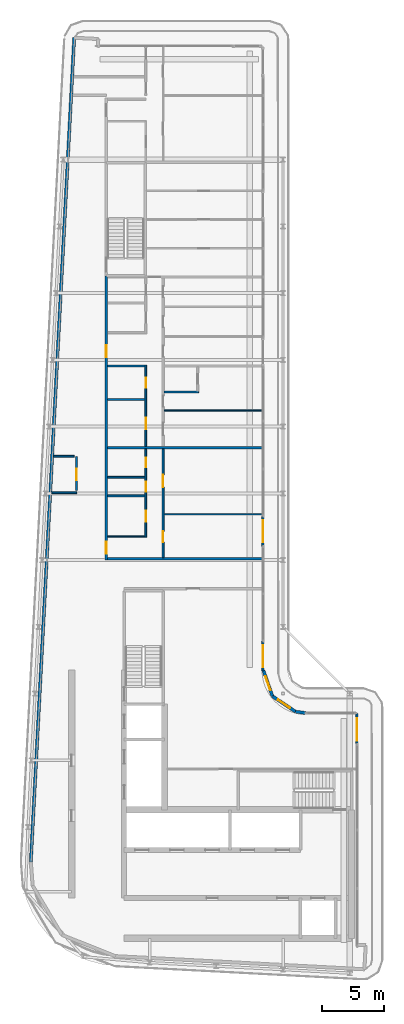
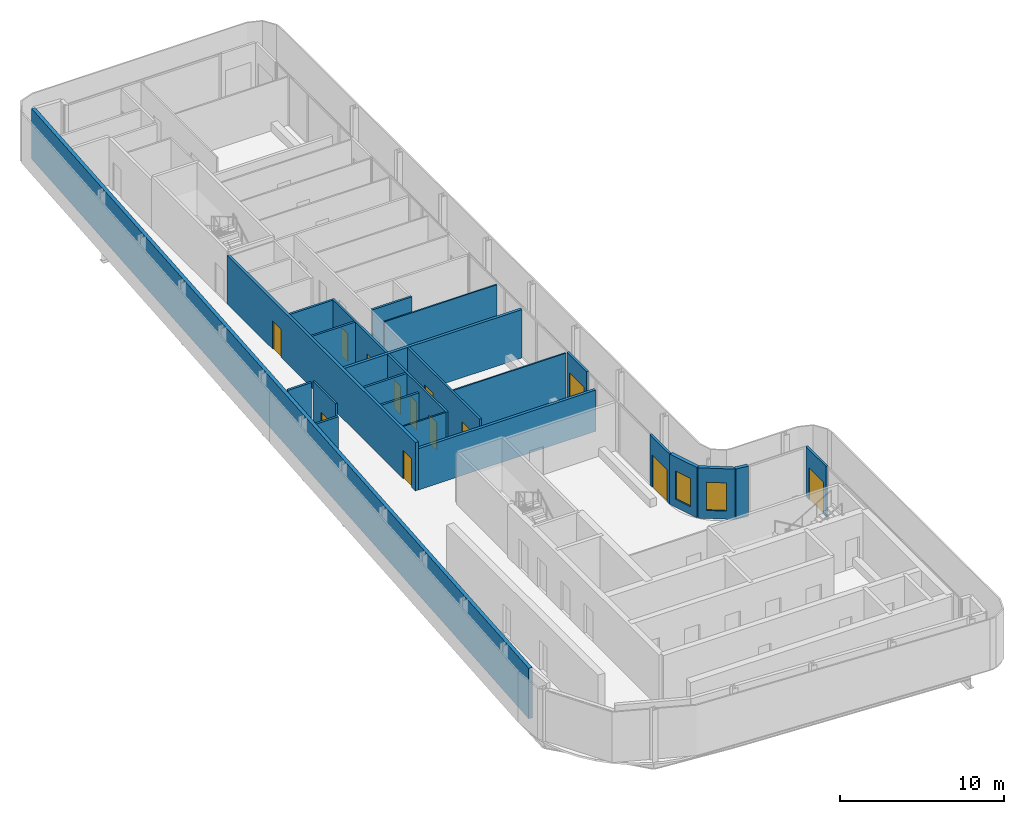
# One storey, part 10 of 18: 24 walls, 13 doors, 2 windows, 15 openings.
"""IFC4 building model written with IfcOpenShell, lengths in metres."""

from ifc_helpers import new_model, si_unit, direction, frame, frame_2d, origin, place, context, subcontext, project, spatial, rectangle, extrude, source, transform, mapped, material, layer, layer_set, type_object, element, fill, save


model = new_model("IFC4")

# Units and contexts
model_context = context("Model", 3, precision=1e-05, world=origin(), true_north=direction((0.0, 1.0)))
body_context = subcontext(model_context, "Body", "Model", "MODEL_VIEW")
ifc_project = project(units=[si_unit("LENGTHUNIT", "METRE"), si_unit("AREAUNIT", "SQUARE_METRE"), si_unit("VOLUMEUNIT", "CUBIC_METRE"), si_unit("PLANEANGLEUNIT", "RADIAN"), si_unit("MASSUNIT", "GRAM", prefix="KILO")], contexts=[model_context])

# Site, building, storey
site_placement = place(None, origin())
site = spatial("IfcSite", under=ifc_project, at=site_placement, CompositionType="ELEMENT")
building_placement = place(site_placement, origin())
building = spatial("IfcBuilding", under=site, at=building_placement, Name="Kheshtan School and Residences Tower", CompositionType="ELEMENT")
storey_placement = place(building_placement, frame((0.0, 0.0, 361.699951171875)))
storey = spatial("IfcBuildingStorey", under=building, at=storey_placement, Name="L85", CompositionType="ELEMENT", Elevation=361.699951171875)

# Wall, openings, doors
ifc_material_1 = material(Name="Gypsum board on steel studs with fire boards", Category="steel")
ifc_layer_1 = layer(ifc_material_1, 0.199951171875)
ifc_layer_set_1 = layer_set([ifc_layer_1], Name="Corridor wall 200")
wall_type_1 = type_object("IfcWallType", Name="Corridor wall 200", PredefinedType="PARTITIONING", material=ifc_layer_set_1)
wall_1_placement = place(storey_placement, frame((33.300048828125, 56.39990234375, 0.0), z_axis=(0.0, 0.0, 1.0), x_axis=(0.0, 1.0, 0.0)))
wall_1 = element("IfcWall", 1, at=wall_1_placement, inside=storey, type_object=wall_type_1, Name="Partition L85-003", PredefinedType="PARTITIONING", context=body_context, shape_type="SweptSolid", body=[
    extrude(rectangle(XDim=22.97509765625, YDim=0.199951171875, at=frame_2d((11.487548828125, 0.0))), origin(), (0.0, 0.0, 1.0), 3.60009765625),
])
opening_1_placement = place(wall_1_placement, frame((0.5, 0.0, 0.0)))
opening_1 = element("IfcOpeningElement", 2, at=opening_1_placement, cuts=wall_1, Name="Opening D85-003", PredefinedType="OPENING", context=body_context, shape_type="SweptSolid", body=[
    extrude(rectangle(XDim=1.0, YDim=2.10009765625, at=frame_2d((0.5, 1.050048828125))), frame((0.0, 0.10986328125, 0.0), z_axis=(0.0, -1.0, 0.0), x_axis=(1.0, 0.0, 0.0)), (0.0, 0.0, 1.0), 0.219970703125),
])
opening_2_placement = place(wall_1_placement, frame((16.39990234375, 0.0, 0.0)))
opening_2 = element("IfcOpeningElement", 3, at=opening_2_placement, cuts=wall_1, Name="Opening D85-012", PredefinedType="OPENING", context=body_context, shape_type="SweptSolid", body=[
    extrude(rectangle(XDim=1.0, YDim=2.10009765625, at=frame_2d((0.5, 1.050048828125))), frame((0.0, 0.10986328125, 0.0), z_axis=(0.0, -1.0, 0.0), x_axis=(1.0, 0.0, 0.0)), (0.0, 0.0, 1.0), 0.219970703125),
])
ifc_material_2 = material(Name="Steel-framed fire-resisting door leaf", Category="steel")
door_type_1 = type_object("IfcDoorType", Name="Fire door FD30S 1000 x 2100", OperationType="SINGLE_SWING_LEFT", PredefinedType="DOOR", material=ifc_material_2)
shared_shape_1 = source(origin(), body_context, "Body", "SweptSolid", [
    extrude(rectangle(XDim=1.0, YDim=2.10009765625, at=frame_2d((0.5, 1.050048828125))), frame((0.0, 0.02490234375, 0.0), z_axis=(0.0, -1.0, 0.0), x_axis=(1.0, 0.0, 0.0)), (0.0, 0.0, 1.0), 0.050048828125),
])
door_1_placement = place(opening_1_placement, origin())
door_1 = element("IfcDoor", 4, at=door_1_placement, inside=storey, type_object=door_type_1, Name="Door D85-003", OperationType="SINGLE_SWING_RIGHT", OverallHeight=2.10009765625, OverallWidth=1.0, PredefinedType="DOOR", context=body_context, shape_type="MappedRepresentation", body=[
    mapped(shared_shape_1, transform((0.0, 0.0, 0.0), x_axis=(1.0, 0.0, 0.0), y_axis=(0.0, 1.0, 0.0), z_axis=(0.0, 0.0, 1.0), scale=1.0)),
])
fill(opening_1, door_1)
door_2_placement = place(opening_2_placement, origin())
door_2 = element("IfcDoor", 5, at=door_2_placement, inside=storey, type_object=door_type_1, Name="Door D85-012", OperationType="SINGLE_SWING_RIGHT", OverallHeight=2.10009765625, OverallWidth=1.0, PredefinedType="DOOR", context=body_context, shape_type="MappedRepresentation", body=[
    mapped(shared_shape_1, transform((0.0, 0.0, 0.0), x_axis=(1.0, 0.0, 0.0), y_axis=(0.0, 1.0, 0.0), z_axis=(0.0, 0.0, 1.0), scale=1.0)),
])
fill(opening_2, door_2)

# Walls
wall_2_placement = place(storey_placement, frame((33.39990234375, 56.5, 0.0), z_axis=(0.0, 0.0, 1.0), x_axis=(1.0, 0.0, 0.0)))
element("IfcWall", 6, at=wall_2_placement, inside=storey, type_object=wall_type_1, Name="Partition L85-005", PredefinedType="PARTITIONING", context=body_context, shape_type="SweptSolid", body=[
    extrude(rectangle(XDim=12.5, YDim=0.199951171875, at=frame_2d((6.25, 0.0))), origin(), (0.0, 0.0, 1.0), 3.072021484375),
])
ifc_material_3 = material(Name="Concrete C40/50 with ceramic cladding and mineral wool insulation", Category="concrete")
ifc_layer_2 = layer(ifc_material_3, 0.25)
ifc_layer_set_2 = layer_set([ifc_layer_2], Name="External wall 250 ceramic clad")
wall_type_2 = type_object("IfcWallType", Name="External wall 250 ceramic clad", PredefinedType="SOLIDWALL", material=ifc_layer_set_2)
wall_3_placement = place(storey_placement, frame((27.195068359375, 31.968994140625, 0.0), z_axis=(0.0, 0.0, 1.0), x_axis=(0.052554995867, 0.998618031286, 0.0)))
element("IfcWall", 7, at=wall_3_placement, inside=storey, type_object=wall_type_2, Name="External wall L85 4", PredefinedType="SOLIDWALL", context=body_context, shape_type="SweptSolid", body=[
    extrude(rectangle(XDim=66.787353515625, YDim=0.25, at=frame_2d((33.3935546875, 0.0))), origin(), (0.0, 0.0, 1.0), 3.75),
])

# Wall, opening, window
wall_4_placement = place(storey_placement, frame((46.01806640625, 47.470947265625, 0.0), z_axis=(0.0, 0.0, 1.0), x_axis=(0.328791208903, -0.944402637093, 0.0)))
wall_4 = element("IfcWall", 8, at=wall_4_placement, inside=storey, type_object=wall_type_2, Name="External wall L85 9", PredefinedType="SOLIDWALL", context=body_context, shape_type="SweptSolid", body=[
    extrude(rectangle(XDim=2.20458984375, YDim=0.25, at=frame_2d((1.102294921875, 0.0))), origin(), (0.0, 0.0, 1.0), 3.75),
])
opening_3_placement = place(wall_4_placement, frame((0.5029296875, 0.0, 0.60009765625)))
opening_3 = element("IfcOpeningElement", 9, at=opening_3_placement, cuts=wall_4, Name="Opening WN-E", PredefinedType="OPENING", context=body_context, shape_type="SweptSolid", body=[
    extrude(rectangle(XDim=1.199951171875, YDim=2.10009765625, at=frame_2d((0.60009765625, 1.050048828125))), frame((0.0, 0.135009765625, 0.0), z_axis=(0.0, -1.0, 0.0), x_axis=(1.0, 0.0, 0.0)), (0.0, 0.0, 1.0), 0.27001953125),
])
ifc_material_4 = material(Name="Clear low-e glass in thermally broken aluminium frame", Category="aluminium")
window_type = type_object("IfcWindowType", Name="Window WN-E", PartitioningType="SINGLE_PANEL", PredefinedType="WINDOW", material=ifc_material_4)
shared_shape_2 = source(origin(), body_context, "Body", "SweptSolid", [
    extrude(rectangle(XDim=1.199951171875, YDim=2.10009765625, at=frame_2d((0.60009765625, 1.050048828125))), frame((0.0, 0.030029296875, 0.0), z_axis=(0.0, -1.0, 0.0), x_axis=(1.0, 0.0, 0.0)), (0.0, 0.0, 1.0), 0.06005859375),
])
window_1_placement = place(opening_3_placement, origin())
window_1 = element("IfcWindow", 10, at=window_1_placement, inside=storey, type_object=window_type, Name="Window L85 9", OverallHeight=2.10009765625, OverallWidth=1.199951171875, PartitioningType="SINGLE_PANEL", PredefinedType="WINDOW", context=body_context, shape_type="MappedRepresentation", body=[
    mapped(shared_shape_2, transform((0.0, 0.0, 0.0), x_axis=(1.0, 0.0, 0.0), y_axis=(0.0, 1.0, 0.0), z_axis=(0.0, 0.0, 1.0), scale=1.0)),
])
fill(opening_3, window_1)

wall_5_placement = place(storey_placement, frame((46.742919921875, 45.388916015625, 0.0), z_axis=(0.0, 0.0, 1.0), x_axis=(0.831449265529, -0.555600682912, 0.0)))
wall_5 = element("IfcWall", 11, at=wall_5_placement, inside=storey, type_object=wall_type_2, Name="External wall L85 10", PredefinedType="SOLIDWALL", context=body_context, shape_type="SweptSolid", body=[
    extrude(rectangle(XDim=2.25146484375, YDim=0.25, at=frame_2d((1.125732421875, 0.0))), origin(), (0.0, 0.0, 1.0), 3.75),
])
opening_4_placement = place(wall_5_placement, frame((0.52490234375, 0.0, 0.60009765625)))
opening_4 = element("IfcOpeningElement", 12, at=opening_4_placement, cuts=wall_5, Name="Opening WN-E", PredefinedType="OPENING", context=body_context, shape_type="SweptSolid", body=[
    extrude(rectangle(XDim=1.199951171875, YDim=2.10009765625, at=frame_2d((0.60009765625, 1.050048828125))), frame((0.0, 0.135009765625, 0.0), z_axis=(0.0, -1.0, 0.0), x_axis=(1.0, 0.0, 0.0)), (0.0, 0.0, 1.0), 0.27001953125),
])
window_2_placement = place(opening_4_placement, origin())
window_2 = element("IfcWindow", 13, at=window_2_placement, inside=storey, type_object=window_type, Name="Window L85 10", OverallHeight=2.10009765625, OverallWidth=1.199951171875, PartitioningType="SINGLE_PANEL", PredefinedType="WINDOW", context=body_context, shape_type="MappedRepresentation", body=[
    mapped(shared_shape_2, transform((0.0, 0.0, 0.0), x_axis=(1.0, 0.0, 0.0), y_axis=(0.0, 1.0, 0.0), z_axis=(0.0, 0.0, 1.0), scale=1.0)),
])
fill(opening_4, window_2)

# Wall
wall_6_placement = place(storey_placement, frame((48.614990234375, 44.137939453125, 0.0), z_axis=(0.0, 0.0, 1.0), x_axis=(0.990741504246, -0.135761819977, 0.0)))
element("IfcWall", 14, at=wall_6_placement, inside=storey, type_object=wall_type_2, Name="External wall L85 11", PredefinedType="SOLIDWALL", context=body_context, shape_type="SweptSolid", body=[
    extrude(rectangle(XDim=0.83984375, YDim=0.25, at=frame_2d((0.419921875, 0.0))), origin(), (0.0, 0.0, 1.0), 3.75),
])

# Wall, opening, door
ifc_material_5 = material(Name="Aluminium frame wall with insulated infill", Category="aluminium")
ifc_layer_3 = layer(ifc_material_5, 0.14990234375)
ifc_layer_set_3 = layer_set([ifc_layer_3], Name="Glazing frame wall 150")
wall_type_3 = type_object("IfcWallType", Name="Glazing frame wall 150", PredefinedType="SOLIDWALL", material=ifc_layer_set_3)
wall_7_placement = place(storey_placement, frame((45.97509765625, 59.924072265625, 0.0), z_axis=(0.0, 0.0, 1.0), x_axis=(0.0, -1.0, 0.0)))
wall_7 = element("IfcWall", 15, at=wall_7_placement, inside=storey, type_object=wall_type_3, Name="Balcony door wall L85 8.4", PredefinedType="SOLIDWALL", context=body_context, shape_type="SweptSolid", body=[
    extrude(rectangle(XDim=2.400146484375, YDim=0.14990234375, at=frame_2d((1.2001953125, 0.0))), origin(), (0.0, 0.0, 1.0), 3.75),
])
opening_5_placement = place(wall_7_placement, frame((0.300048828125, 0.0, 0.0)))
opening_5 = element("IfcOpeningElement", 16, at=opening_5_placement, cuts=wall_7, Name="Opening BD", PredefinedType="OPENING", context=body_context, shape_type="SweptSolid", body=[
    extrude(rectangle(XDim=1.800048828125, YDim=2.39990234375, at=frame_2d((0.89990234375, 1.199951171875))), frame((0.0, 0.0849609375, 0.0), z_axis=(0.0, -1.0, 0.0), x_axis=(1.0, 0.0, 0.0)), (0.0, 0.0, 1.0), 0.169921875),
])
door_type_2 = type_object("IfcDoorType", Name="Balcony sliding door", OperationType="SLIDING_TO_LEFT", PredefinedType="DOOR", material=ifc_material_4)
shared_shape_3 = source(origin(), body_context, "Body", "SweptSolid", [
    extrude(rectangle(XDim=1.800048828125, YDim=2.39990234375, at=frame_2d((0.89990234375, 1.199951171875))), frame((0.0, 0.02490234375, 0.0), z_axis=(0.0, -1.0, 0.0), x_axis=(1.0, 0.0, 0.0)), (0.0, 0.0, 1.0), 0.050048828125),
])
door_3_placement = place(opening_5_placement, origin())
door_3 = element("IfcDoor", 17, at=door_3_placement, inside=storey, type_object=door_type_2, Name="Balcony door L85 8.4", OperationType="SLIDING_TO_LEFT", OverallHeight=2.39990234375, OverallWidth=1.800048828125, PredefinedType="DOOR", context=body_context, shape_type="MappedRepresentation", body=[
    mapped(shared_shape_3, transform((0.0, 0.0, 0.0), x_axis=(1.0, 0.0, 0.0), y_axis=(0.0, 1.0, 0.0), z_axis=(0.0, 0.0, 1.0), scale=1.0)),
])
fill(opening_5, door_3)

wall_8_placement = place(storey_placement, frame((45.97509765625, 49.830078125, 0.0), z_axis=(0.0, 0.0, 1.0), x_axis=(0.0, -1.0, 0.0)))
wall_8 = element("IfcWall", 18, at=wall_8_placement, inside=storey, type_object=wall_type_3, Name="Balcony door wall L85 8.5", PredefinedType="SOLIDWALL", context=body_context, shape_type="SweptSolid", body=[
    extrude(rectangle(XDim=2.400146484375, YDim=0.14990234375, at=frame_2d((1.2001953125, 0.0))), origin(), (0.0, 0.0, 1.0), 3.75),
])
opening_6_placement = place(wall_8_placement, frame((0.300048828125, 0.0, 0.0)))
opening_6 = element("IfcOpeningElement", 19, at=opening_6_placement, cuts=wall_8, Name="Opening BD", PredefinedType="OPENING", context=body_context, shape_type="SweptSolid", body=[
    extrude(rectangle(XDim=1.800048828125, YDim=2.39990234375, at=frame_2d((0.89990234375, 1.199951171875))), frame((0.0, 0.0849609375, 0.0), z_axis=(0.0, -1.0, 0.0), x_axis=(1.0, 0.0, 0.0)), (0.0, 0.0, 1.0), 0.169921875),
])
door_4_placement = place(opening_6_placement, origin())
door_4 = element("IfcDoor", 20, at=door_4_placement, inside=storey, type_object=door_type_2, Name="Balcony door L85 8.5", OperationType="SLIDING_TO_LEFT", OverallHeight=2.39990234375, OverallWidth=1.800048828125, PredefinedType="DOOR", context=body_context, shape_type="MappedRepresentation", body=[
    mapped(shared_shape_3, transform((0.0, 0.0, 0.0), x_axis=(1.0, 0.0, 0.0), y_axis=(0.0, 1.0, 0.0), z_axis=(0.0, 0.0, 1.0), scale=1.0)),
])
fill(opening_6, door_4)

wall_9_placement = place(storey_placement, frame((53.574951171875, 43.970947265625, 0.0), z_axis=(0.0, 0.0, 1.0), x_axis=(0.0, -1.0, 0.0)))
wall_9 = element("IfcWall", 21, at=wall_9_placement, inside=storey, type_object=wall_type_3, Name="Balcony door wall L85 13.1", PredefinedType="SOLIDWALL", context=body_context, shape_type="SweptSolid", body=[
    extrude(rectangle(XDim=2.470947265625, YDim=0.14990234375, at=frame_2d((1.2353515625, 0.0))), origin(), (0.0, 0.0, 1.0), 3.75),
])
opening_7_placement = place(wall_9_placement, frame((0.37109375, 0.0, 0.0)))
opening_7 = element("IfcOpeningElement", 22, at=opening_7_placement, cuts=wall_9, Name="Opening BD", PredefinedType="OPENING", context=body_context, shape_type="SweptSolid", body=[
    extrude(rectangle(XDim=1.800048828125, YDim=2.39990234375, at=frame_2d((0.89990234375, 1.199951171875))), frame((0.0, 0.0849609375, 0.0), z_axis=(0.0, -1.0, 0.0), x_axis=(1.0, 0.0, 0.0)), (0.0, 0.0, 1.0), 0.169921875),
])
door_5_placement = place(opening_7_placement, origin())
door_5 = element("IfcDoor", 23, at=door_5_placement, inside=storey, type_object=door_type_2, Name="Balcony door L85 13.1", OperationType="SLIDING_TO_LEFT", OverallHeight=2.39990234375, OverallWidth=1.800048828125, PredefinedType="DOOR", context=body_context, shape_type="MappedRepresentation", body=[
    mapped(shared_shape_3, transform((0.0, 0.0, 0.0), x_axis=(1.0, 0.0, 0.0), y_axis=(0.0, 1.0, 0.0), z_axis=(0.0, 0.0, 1.0), scale=1.0)),
])
fill(opening_7, door_5)

# Walls
ifc_material_6 = material(Name="Gypsum board on steel studs", Category="steel")
ifc_layer_4 = layer(ifc_material_6, 0.10009765625)
ifc_layer_set_4 = layer_set([ifc_layer_4], Name="Gypsum partition 100")
wall_type_4 = type_object("IfcWallType", Name="Gypsum partition 100", PredefinedType="PARTITIONING", material=ifc_layer_set_4)
wall_10_placement = place(storey_placement, frame((33.39990234375, 58.300048828125, 0.0), z_axis=(0.0, 0.0, 1.0), x_axis=(1.0, 0.0, 0.0)))
element("IfcWall", 24, at=wall_10_placement, inside=storey, type_object=wall_type_4, Name="Partition L85-006", PredefinedType="PARTITIONING", context=body_context, shape_type="SweptSolid", body=[
    extrude(rectangle(XDim=3.025146484375, YDim=0.10009765625, at=frame_2d((1.5126953125, 0.0))), origin(), (0.0, 0.0, 1.0), 3.60009765625),
])
for number, where, z_axis, x_axis, name in (
    (25, (37.97509765625, 60.10009765625, 0.0), (0.0, 0.0, 1.0), (1.0, 0.0, 0.0), "Partition L85-031"),
    (26, (37.97509765625, 68.5, 0.0), (0.0, 0.0, 1.0), (1.0, 0.0, 0.0), "Partition L85-032"),
):
    element("IfcWall", number, at=place(storey_placement, frame(where, z_axis=z_axis, x_axis=x_axis)), inside=storey, type_object=wall_type_4, Name=name, PredefinedType="PARTITIONING", context=body_context, shape_type="SweptSolid", body=[
        extrude(rectangle(XDim=7.9248046875, YDim=0.10009765625, at=frame_2d((3.96240234375, 0.0))), origin(), (0.0, 0.0, 1.0), 3.60009765625),
    ])
ifc_material_7 = material(Name="Fire-board shaft wall system")
ifc_layer_5 = layer(ifc_material_7, 0.14990234375)
ifc_layer_set_5 = layer_set([ifc_layer_5], Name="Service room wall 150")
wall_type_5 = type_object("IfcWallType", Name="Service room wall 150", PredefinedType="PARTITIONING", material=ifc_layer_set_5)
wall_11_placement = place(storey_placement, frame((28.89501953125, 61.85107421875, 0.0), z_axis=(0.0, 0.0, 1.0), x_axis=(1.0, 0.0, 0.0)))
element("IfcWall", 27, at=wall_11_placement, inside=storey, type_object=wall_type_5, Name="Service room wall", PredefinedType="PARTITIONING", context=body_context, shape_type="SweptSolid", body=[
    extrude(rectangle(XDim=2.0048828125, YDim=0.14990234375, at=frame_2d((1.00244140625, 0.0))), origin(), (0.0, 0.0, 1.0), 3.072021484375),
])

# Wall, opening, door
wall_12_placement = place(storey_placement, frame((30.89990234375, 62.0458984375, 0.0), z_axis=(0.0, 0.0, 1.0), x_axis=(0.0, 1.0, 0.0)))
wall_12 = element("IfcWall", 28, at=wall_12_placement, inside=storey, type_object=wall_type_5, Name="Service room wall", PredefinedType="PARTITIONING", context=body_context, shape_type="SweptSolid", body=[
    extrude(rectangle(XDim=2.754150390625, YDim=0.14990234375, at=frame_2d((1.376953125, 0.0))), origin(), (0.0, 0.0, 1.0), 3.900146484375),
])
opening_8_placement = place(wall_12_placement, frame((0.830078125, 0.0, 0.0)))
opening_8 = element("IfcOpeningElement", 29, at=opening_8_placement, cuts=wall_12, Name="Opening SR90", PredefinedType="OPENING", context=body_context, shape_type="SweptSolid", body=[
    extrude(rectangle(XDim=0.89990234375, YDim=2.199951171875, at=frame_2d((0.449951171875, 1.10009765625))), frame((0.0, 0.0849609375, 0.0), z_axis=(0.0, -1.0, 0.0), x_axis=(1.0, 0.0, 0.0)), (0.0, 0.0, 1.0), 0.169921875),
])
ifc_material_8 = material(Name="Steel door leaf, galvanised", Category="steel")
door_type_3 = type_object("IfcDoorType", Name="Service room door 900 steel 90 min", OperationType="SINGLE_SWING_LEFT", PredefinedType="DOOR", material=ifc_material_8)
shared_shape_4 = source(origin(), body_context, "Body", "SweptSolid", [
    extrude(rectangle(XDim=0.89990234375, YDim=2.199951171875, at=frame_2d((0.449951171875, 1.10009765625))), frame((0.0, 0.02490234375, 0.0), z_axis=(0.0, -1.0, 0.0), x_axis=(1.0, 0.0, 0.0)), (0.0, 0.0, 1.0), 0.050048828125),
])
door_6_placement = place(opening_8_placement, origin())
door_6 = element("IfcDoor", 30, at=door_6_placement, inside=storey, type_object=door_type_3, Name="Service room door", OperationType="SINGLE_SWING_LEFT", OverallHeight=2.199951171875, OverallWidth=0.89990234375, PredefinedType="DOOR", context=body_context, shape_type="MappedRepresentation", body=[
    mapped(shared_shape_4, transform((0.0, 0.0, 0.0), x_axis=(1.0, 0.0, 0.0), y_axis=(0.0, 1.0, 0.0), z_axis=(0.0, 0.0, 1.0), scale=1.0)),
])
fill(opening_8, door_6)

# Walls
wall_13_placement = place(storey_placement, frame((29.050048828125, 64.800048828125, 0.0), z_axis=(0.0, 0.0, 1.0), x_axis=(1.0, 0.0, 0.0)))
element("IfcWall", 31, at=wall_13_placement, inside=storey, type_object=wall_type_5, Name="Service room wall", PredefinedType="PARTITIONING", context=body_context, shape_type="SweptSolid", body=[
    extrude(rectangle(XDim=1.655029296875, YDim=0.14990234375, at=frame_2d((0.82763671875, 0.0))), origin(), (0.0, 0.0, 1.0), 3.900146484375),
])
ifc_material_9 = material(Name="Twin gypsum board on steel studs with mineral wool", Category="steel")
ifc_layer_6 = layer(ifc_material_9, 0.199951171875)
ifc_layer_set_6 = layer_set([ifc_layer_6], Name="Unit demising wall 200")
wall_type_6 = type_object("IfcWallType", Name="Unit demising wall 200", PredefinedType="PARTITIONING", material=ifc_layer_set_6)
wall_14_placement = place(storey_placement, frame((33.39990234375, 65.5, 0.0), z_axis=(0.0, 0.0, 1.0), x_axis=(1.0, 0.0, 0.0)))
element("IfcWall", 32, at=wall_14_placement, inside=storey, type_object=wall_type_6, Name="Partition L85-009", PredefinedType="PARTITIONING", context=body_context, shape_type="SweptSolid", body=[
    extrude(rectangle(XDim=12.5, YDim=0.199951171875, at=frame_2d((6.25, 0.0))), origin(), (0.0, 0.0, 1.0), 3.60009765625),
])
ifc_material_10 = material(Name="Moisture-resistant gypsum board on steel studs", Category="steel")
ifc_layer_7 = layer(ifc_material_10, 0.14990234375)
ifc_layer_set_7 = layer_set([ifc_layer_7], Name="Wet-room partition 150")
wall_type_7 = type_object("IfcWallType", Name="Wet-room partition 150", PredefinedType="PARTITIONING", material=ifc_layer_set_7)
wall_15_placement = place(storey_placement, frame((33.39990234375, 61.60009765625, 0.0), z_axis=(0.0, 0.0, 1.0), x_axis=(1.0, 0.0, 0.0)))
element("IfcWall", 33, at=wall_15_placement, inside=storey, type_object=wall_type_7, Name="Partition L85-007", PredefinedType="PARTITIONING", context=body_context, shape_type="SweptSolid", body=[
    extrude(rectangle(XDim=3.025146484375, YDim=0.14990234375, at=frame_2d((1.5126953125, 0.0))), origin(), (0.0, 0.0, 1.0), 3.072021484375),
])
for number, where, z_axis, x_axis, name in (
    (34, (33.39990234375, 63.10009765625, 0.0), (0.0, 0.0, 1.0), (1.0, 0.0, 0.0), "Partition L85-008"),
    (35, (33.39990234375, 69.39990234375, 0.0), (0.0, 0.0, 1.0), (1.0, 0.0, 0.0), "Partition L85-010"),
    (36, (33.39990234375, 72.10009765625, 0.0), (0.0, 0.0, 1.0), (1.0, 0.0, 0.0), "Partition L85-011"),
):
    element("IfcWall", number, at=place(storey_placement, frame(where, z_axis=z_axis, x_axis=x_axis)), inside=storey, type_object=wall_type_7, Name=name, PredefinedType="PARTITIONING", context=body_context, shape_type="SweptSolid", body=[
        extrude(rectangle(XDim=3.025146484375, YDim=0.14990234375, at=frame_2d((1.5126953125, 0.0))), origin(), (0.0, 0.0, 1.0), 3.60009765625),
    ])

# Wall, openings, doors
wall_16_placement = place(storey_placement, frame((36.5, 58.25, 0.0), z_axis=(0.0, 0.0, 1.0), x_axis=(0.0, 1.0, 0.0)))
wall_16 = element("IfcWall", 37, at=wall_16_placement, inside=storey, type_object=wall_type_7, Name="Partition L85-019", PredefinedType="PARTITIONING", context=body_context, shape_type="SweptSolid", body=[
    extrude(rectangle(XDim=7.14990234375, YDim=0.14990234375, at=frame_2d((3.574951171875, 0.0))), origin(), (0.0, 0.0, 1.0), 3.60009765625),
])
opening_9_placement = place(wall_16_placement, frame((5.64990234375, 0.0, 0.0)))
opening_9 = element("IfcOpeningElement", 38, at=opening_9_placement, cuts=wall_16, Name="Opening D85-001", PredefinedType="OPENING", context=body_context, shape_type="SweptSolid", body=[
    extrude(rectangle(XDim=0.800048828125, YDim=2.10009765625, at=frame_2d((0.39990234375, 1.050048828125))), frame((0.0, 0.0849609375, 0.0), z_axis=(0.0, -1.0, 0.0), x_axis=(1.0, 0.0, 0.0)), (0.0, 0.0, 1.0), 0.169921875),
])
opening_10_placement = place(wall_16_placement, frame((1.25, 0.0, 0.0)))
opening_10 = element("IfcOpeningElement", 39, at=opening_10_placement, cuts=wall_16, Name="Opening D85-004", PredefinedType="OPENING", context=body_context, shape_type="SweptSolid", body=[
    extrude(rectangle(XDim=0.89990234375, YDim=2.10009765625, at=frame_2d((0.449951171875, 1.050048828125))), frame((0.0, 0.0849609375, 0.0), z_axis=(0.0, -1.0, 0.0), x_axis=(1.0, 0.0, 0.0)), (0.0, 0.0, 1.0), 0.169921875),
])
opening_11_placement = place(wall_16_placement, frame((3.699951171875, 0.0, 0.0)))
opening_11 = element("IfcOpeningElement", 40, at=opening_11_placement, cuts=wall_16, Name="Opening D85-006", PredefinedType="OPENING", context=body_context, shape_type="SweptSolid", body=[
    extrude(rectangle(XDim=0.800048828125, YDim=2.10009765625, at=frame_2d((0.39990234375, 1.050048828125))), frame((0.0, 0.0849609375, 0.0), z_axis=(0.0, -1.0, 0.0), x_axis=(1.0, 0.0, 0.0)), (0.0, 0.0, 1.0), 0.169921875),
])
ifc_material_11 = material(Name="Veneered timber door leaf", Category="wood")
door_type_4 = type_object("IfcDoorType", Name="Door 800 x 2100", OperationType="SINGLE_SWING_LEFT", PredefinedType="DOOR", material=ifc_material_11)
shared_shape_5 = source(origin(), body_context, "Body", "SweptSolid", [
    extrude(rectangle(XDim=0.800048828125, YDim=2.10009765625, at=frame_2d((0.39990234375, 1.050048828125))), frame((0.0, 0.02490234375, 0.0), z_axis=(0.0, -1.0, 0.0), x_axis=(1.0, 0.0, 0.0)), (0.0, 0.0, 1.0), 0.050048828125),
])
door_7_placement = place(opening_9_placement, origin())
door_7 = element("IfcDoor", 41, at=door_7_placement, inside=storey, type_object=door_type_4, Name="Door D85-001", OperationType="SINGLE_SWING_RIGHT", OverallHeight=2.10009765625, OverallWidth=0.800048828125, PredefinedType="DOOR", context=body_context, shape_type="MappedRepresentation", body=[
    mapped(shared_shape_5, transform((0.0, 0.0, 0.0), x_axis=(1.0, 0.0, 0.0), y_axis=(0.0, 1.0, 0.0), z_axis=(0.0, 0.0, 1.0), scale=1.0)),
])
fill(opening_9, door_7)
door_8_placement = place(opening_11_placement, origin())
door_8 = element("IfcDoor", 42, at=door_8_placement, inside=storey, type_object=door_type_4, Name="Door D85-006", OperationType="SINGLE_SWING_LEFT", OverallHeight=2.10009765625, OverallWidth=0.800048828125, PredefinedType="DOOR", context=body_context, shape_type="MappedRepresentation", body=[
    mapped(shared_shape_5, transform((0.0, 0.0, 0.0), x_axis=(1.0, 0.0, 0.0), y_axis=(0.0, 1.0, 0.0), z_axis=(0.0, 0.0, 1.0), scale=1.0)),
])
fill(opening_11, door_8)
door_type_5 = type_object("IfcDoorType", Name="Door 900 x 2100", OperationType="SINGLE_SWING_LEFT", PredefinedType="DOOR", material=ifc_material_11)
shared_shape_6 = source(origin(), body_context, "Body", "SweptSolid", [
    extrude(rectangle(XDim=0.89990234375, YDim=2.10009765625, at=frame_2d((0.449951171875, 1.050048828125))), frame((0.0, 0.02490234375, 0.0), z_axis=(0.0, -1.0, 0.0), x_axis=(1.0, 0.0, 0.0)), (0.0, 0.0, 1.0), 0.050048828125),
])
door_9_placement = place(opening_10_placement, origin())
door_9 = element("IfcDoor", 43, at=door_9_placement, inside=storey, type_object=door_type_5, Name="Door D85-004", OperationType="SINGLE_SWING_RIGHT", OverallHeight=2.10009765625, OverallWidth=0.89990234375, PredefinedType="DOOR", context=body_context, shape_type="MappedRepresentation", body=[
    mapped(shared_shape_6, transform((0.0, 0.0, 0.0), x_axis=(1.0, 0.0, 0.0), y_axis=(0.0, 1.0, 0.0), z_axis=(0.0, 0.0, 1.0), scale=1.0)),
])
fill(opening_10, door_9)

wall_17_placement = place(storey_placement, frame((36.5, 65.60009765625, 0.0), z_axis=(0.0, 0.0, 1.0), x_axis=(0.0, 1.0, 0.0)))
wall_17 = element("IfcWall", 44, at=wall_17_placement, inside=storey, type_object=wall_type_7, Name="Partition L85-020", PredefinedType="PARTITIONING", context=body_context, shape_type="SweptSolid", body=[
    extrude(rectangle(XDim=6.574951171875, YDim=0.14990234375, at=frame_2d((3.28759765625, 0.0))), origin(), (0.0, 0.0, 1.0), 3.60009765625),
])
opening_12_placement = place(wall_17_placement, frame((4.75, 0.0, 0.0)))
opening_12 = element("IfcOpeningElement", 45, at=opening_12_placement, cuts=wall_17, Name="Opening D85-007", PredefinedType="OPENING", context=body_context, shape_type="SweptSolid", body=[
    extrude(rectangle(XDim=0.800048828125, YDim=2.10009765625, at=frame_2d((0.39990234375, 1.050048828125))), frame((0.0, 0.0849609375, 0.0), z_axis=(0.0, -1.0, 0.0), x_axis=(1.0, 0.0, 0.0)), (0.0, 0.0, 1.0), 0.169921875),
])
opening_13_placement = place(wall_17_placement, frame((1.39990234375, 0.0, 0.0)))
opening_13 = element("IfcOpeningElement", 46, at=opening_13_placement, cuts=wall_17, Name="Opening D85-013", PredefinedType="OPENING", context=body_context, shape_type="SweptSolid", body=[
    extrude(rectangle(XDim=0.89990234375, YDim=2.10009765625, at=frame_2d((0.449951171875, 1.050048828125))), frame((0.0, 0.0849609375, 0.0), z_axis=(0.0, -1.0, 0.0), x_axis=(1.0, 0.0, 0.0)), (0.0, 0.0, 1.0), 0.169921875),
])
door_10_placement = place(opening_12_placement, origin())
door_10 = element("IfcDoor", 47, at=door_10_placement, inside=storey, type_object=door_type_4, Name="Door D85-007", OperationType="SINGLE_SWING_RIGHT", OverallHeight=2.10009765625, OverallWidth=0.800048828125, PredefinedType="DOOR", context=body_context, shape_type="MappedRepresentation", body=[
    mapped(shared_shape_5, transform((0.0, 0.0, 0.0), x_axis=(1.0, 0.0, 0.0), y_axis=(0.0, 1.0, 0.0), z_axis=(0.0, 0.0, 1.0), scale=1.0)),
])
fill(opening_12, door_10)
door_11_placement = place(opening_13_placement, origin())
door_11 = element("IfcDoor", 48, at=door_11_placement, inside=storey, type_object=door_type_5, Name="Door D85-013", OperationType="SINGLE_SWING_RIGHT", OverallHeight=2.10009765625, OverallWidth=0.89990234375, PredefinedType="DOOR", context=body_context, shape_type="MappedRepresentation", body=[
    mapped(shared_shape_6, transform((0.0, 0.0, 0.0), x_axis=(1.0, 0.0, 0.0), y_axis=(0.0, 1.0, 0.0), z_axis=(0.0, 0.0, 1.0), scale=1.0)),
])
fill(opening_13, door_11)

wall_18_placement = place(storey_placement, frame((37.89990234375, 56.60009765625, 0.0), z_axis=(0.0, 0.0, 1.0), x_axis=(0.0, 1.0, 0.0)))
wall_18 = element("IfcWall", 49, at=wall_18_placement, inside=storey, type_object=wall_type_7, Name="Partition L85-027", PredefinedType="PARTITIONING", context=body_context, shape_type="SweptSolid", body=[
    extrude(rectangle(XDim=8.7998046875, YDim=0.14990234375, at=frame_2d((4.39990234375, 0.0))), origin(), (0.0, 0.0, 1.0), 3.60009765625),
])
opening_14_placement = place(wall_18_placement, frame((1.25, 0.0, 0.0)))
opening_14 = element("IfcOpeningElement", 50, at=opening_14_placement, cuts=wall_18, Name="Opening D85-002", PredefinedType="OPENING", context=body_context, shape_type="SweptSolid", body=[
    extrude(rectangle(XDim=0.89990234375, YDim=2.10009765625, at=frame_2d((0.449951171875, 1.050048828125))), frame((0.0, 0.0849609375, 0.0), z_axis=(0.0, -1.0, 0.0), x_axis=(1.0, 0.0, 0.0)), (0.0, 0.0, 1.0), 0.169921875),
])
opening_15_placement = place(wall_18_placement, frame((5.699951171875, 0.0, 0.0)))
opening_15 = element("IfcOpeningElement", 51, at=opening_15_placement, cuts=wall_18, Name="Opening D85-005", PredefinedType="OPENING", context=body_context, shape_type="SweptSolid", body=[
    extrude(rectangle(XDim=1.0, YDim=2.10009765625, at=frame_2d((0.5, 1.050048828125))), frame((0.0, 0.0849609375, 0.0), z_axis=(0.0, -1.0, 0.0), x_axis=(1.0, 0.0, 0.0)), (0.0, 0.0, 1.0), 0.169921875),
])
door_type_6 = type_object("IfcDoorType", Name="Door 1000 x 2100", OperationType="SINGLE_SWING_LEFT", PredefinedType="DOOR", material=ifc_material_11)
shared_shape_7 = source(origin(), body_context, "Body", "SweptSolid", [
    extrude(rectangle(XDim=1.0, YDim=2.10009765625, at=frame_2d((0.5, 1.050048828125))), frame((0.0, 0.02490234375, 0.0), z_axis=(0.0, -1.0, 0.0), x_axis=(1.0, 0.0, 0.0)), (0.0, 0.0, 1.0), 0.050048828125),
])
door_12_placement = place(opening_15_placement, origin())
door_12 = element("IfcDoor", 52, at=door_12_placement, inside=storey, type_object=door_type_6, Name="Door D85-005", OperationType="SINGLE_SWING_LEFT", OverallHeight=2.10009765625, OverallWidth=1.0, PredefinedType="DOOR", context=body_context, shape_type="MappedRepresentation", body=[
    mapped(shared_shape_7, transform((0.0, 0.0, 0.0), x_axis=(1.0, 0.0, 0.0), y_axis=(0.0, 1.0, 0.0), z_axis=(0.0, 0.0, 1.0), scale=1.0)),
])
fill(opening_15, door_12)
door_13_placement = place(opening_14_placement, origin())
door_13 = element("IfcDoor", 53, at=door_13_placement, inside=storey, type_object=door_type_5, Name="Door D85-002", OperationType="SINGLE_SWING_LEFT", OverallHeight=2.10009765625, OverallWidth=0.89990234375, PredefinedType="DOOR", context=body_context, shape_type="MappedRepresentation", body=[
    mapped(shared_shape_6, transform((0.0, 0.0, 0.0), x_axis=(1.0, 0.0, 0.0), y_axis=(0.0, 1.0, 0.0), z_axis=(0.0, 0.0, 1.0), scale=1.0)),
])
fill(opening_14, door_13)

# Wall
wall_19_placement = place(storey_placement, frame((37.97509765625, 70.0, 0.0), z_axis=(0.0, 0.0, 1.0), x_axis=(1.0, 0.0, 0.0)))
element("IfcWall", 54, at=wall_19_placement, inside=storey, type_object=wall_type_7, Name="Partition L85-033", PredefinedType="PARTITIONING", context=body_context, shape_type="SweptSolid", body=[
    extrude(rectangle(XDim=2.7998046875, YDim=0.14990234375, at=frame_2d((1.39990234375, 0.0))), origin(), (0.0, 0.0, 1.0), 3.60009765625),
])

save(model, "model.ifc")
